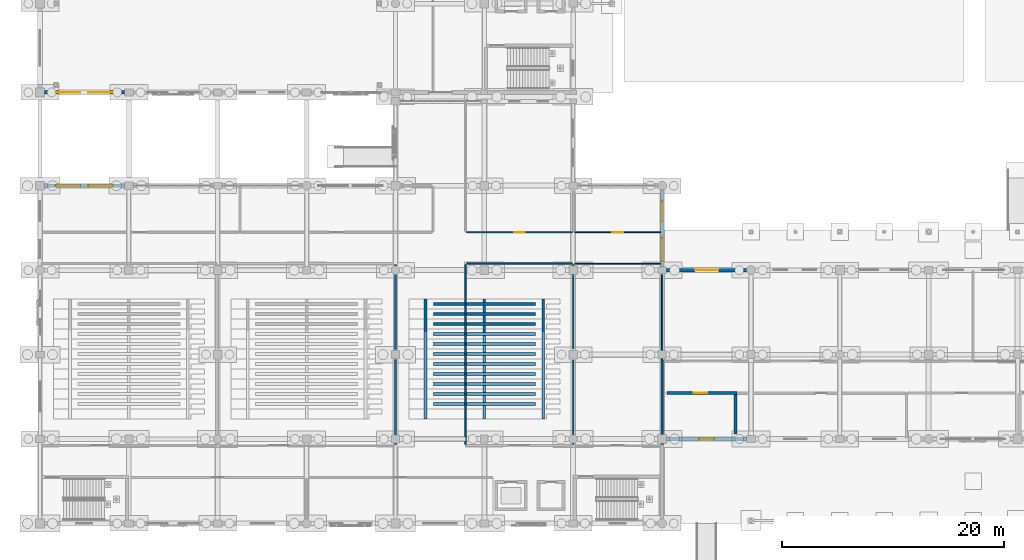
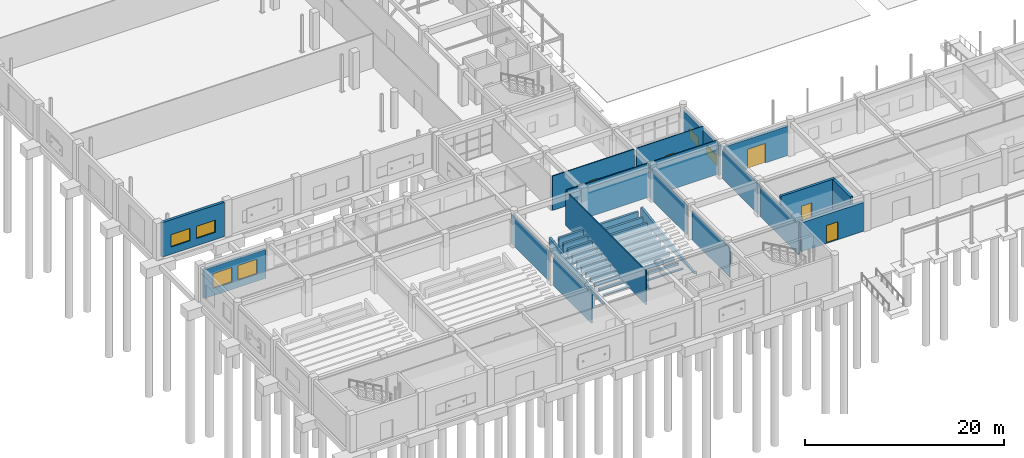
# One storey, part 129 of 166: 32 walls, 6 windows, 5 doors, 11 openings.
"""IFC4 building model written with IfcOpenShell, lengths in metres."""

from ifc_helpers import new_model, si_unit, direction, frame, frame_2d, origin, place, context, subcontext, project, spatial, polyline, rectangle, outline, extrude, material, layer, layer_set, type_object, element, fill, save


model = new_model("IFC4")

# Units and contexts
model_context = context("Model", 3, precision=1e-05, world=origin(), true_north=direction((0.0, 1.0)))
body_context = subcontext(model_context, "Body", "Model", "MODEL_VIEW")
ifc_project = project(units=[si_unit("LENGTHUNIT", "METRE"), si_unit("AREAUNIT", "SQUARE_METRE"), si_unit("VOLUMEUNIT", "CUBIC_METRE"), si_unit("PLANEANGLEUNIT", "RADIAN"), si_unit("MASSUNIT", "GRAM", prefix="KILO")], contexts=[model_context])

# Site, building, storey
site_placement = place(None, origin())
site = spatial("IfcSite", under=ifc_project, at=site_placement, CompositionType="ELEMENT")
building_placement = place(site_placement, origin())
building = spatial("IfcBuilding", under=site, at=building_placement, Name="Kharva Crest Polytechnic", CompositionType="ELEMENT")
storey_placement = place(building_placement, origin())
storey = spatial("IfcBuildingStorey", under=building, at=storey_placement, Name="L00", CompositionType="ELEMENT", Elevation=0.0)

# Wall, opening, door
ifc_material_1 = material(Name="Concrete C40/50", Category="concrete")
ifc_layer_1 = layer(ifc_material_1, 0.300048828125, Name="Concrete C40/50")
ifc_layer_set_1 = layer_set([ifc_layer_1], Name="Concrete C40/50")
wall_type_1 = type_object("IfcWallType", Name="WL-CORE-CW2-300", PredefinedType="SHEAR", material=ifc_layer_set_1)
wall_1_placement = place(storey_placement, frame((56.449951171875, 11.75, 0.0), z_axis=(0.0, 0.0, 1.0), x_axis=(1.0, 0.0, 0.0)))
wall_1 = element("IfcWall", 1, at=wall_1_placement, inside=storey, type_object=wall_type_1, Name="L00 Fire Command Centre North 2-Hr Wall", PredefinedType="SHEAR", context=body_context, shape_type="SweptSolid", body=[
    extrude(rectangle(XDim=6.300048828125, YDim=0.300048828125, at=frame_2d((3.14990234375, 0.0))), origin(), (0.0, 0.0, 1.0), 4.219970703125),
])
opening_1_placement = place(wall_1_placement, frame((2.39990234375, 0.0, 0.0)))
opening_1 = element("IfcOpeningElement", 2, at=opening_1_placement, cuts=wall_1, Name="Opening FD1", PredefinedType="OPENING", context=body_context, shape_type="SweptSolid", body=[
    extrude(rectangle(XDim=1.199951171875, YDim=2.199951171875, at=frame_2d((0.60009765625, 1.10009765625))), frame((0.0, 0.159912109375, 0.0), z_axis=(0.0, -1.0, 0.0), x_axis=(1.0, 0.0, 0.0)), (0.0, 0.0, 1.0), 0.320068359375),
])
ifc_material_2 = material(Name="Teak timber", Category="wood")
door_type_1 = type_object("IfcDoorType", Name="DR-STAIR-1200X2200", OperationType="NOTDEFINED", PredefinedType="DOOR", material=ifc_material_2)
door_1_placement = place(opening_1_placement, origin())
door_1 = element("IfcDoor", 3, at=door_1_placement, inside=storey, type_object=door_type_1, Name="L00 Fire Command Centre Corridor Door", OperationType="SINGLE_SWING_LEFT", OverallHeight=2.199951171875, OverallWidth=1.199951171875, PredefinedType="DOOR", context=body_context, shape_type="SweptSolid", body=[
    extrude(rectangle(XDim=1.199951171875, YDim=2.199951171875, at=frame_2d((0.60009765625, 1.10009765625))), frame((0.0, 0.02490234375, 0.0), z_axis=(0.0, -1.0, 0.0), x_axis=(1.0, 0.0, 0.0)), (0.0, 0.0, 1.0), 0.050048828125),
])
fill(opening_1, door_1)

# Wall
wall_2_placement = place(storey_placement, frame((62.60009765625, 8.050048828125, 0.0), z_axis=(0.0, 0.0, 1.0), x_axis=(0.0, 1.0, 0.0)))
element("IfcWall", 4, at=wall_2_placement, inside=storey, type_object=wall_type_1, Name="L00 Fire Command Centre East 2-Hr Wall", PredefinedType="SHEAR", context=body_context, shape_type="SweptSolid", body=[
    extrude(rectangle(XDim=3.550048828125, YDim=0.300048828125, at=frame_2d((1.77490234375, 0.0))), origin(), (0.0, 0.0, 1.0), 4.219970703125),
])

# Wall, openings, windows
ifc_material_3 = material(Name="Kiln brick masonry", Category="masonry")
ifc_layer_2 = layer(ifc_material_3, 0.27490234375, Name="Kiln brick masonry")
ifc_layer_set_2 = layer_set([ifc_layer_2], Name="Kiln brick masonry")
wall_type_2 = type_object("IfcWallType", Name="WL-EXT-BRK-275", PredefinedType="SOLIDWALL", material=ifc_layer_set_2)
wall_3_placement = place(storey_placement, frame((56.0, 23.094970703125, 0.0), z_axis=(0.0, 0.0, 1.0), x_axis=(0.0, 1.0, 0.0)))
wall_3 = element("IfcWall", 5, at=wall_3_placement, inside=storey, type_object=wall_type_2, Name="L00 Exterior Brick Wall 36", PredefinedType="SOLIDWALL", context=body_context, shape_type="SweptSolid", body=[
    extrude(rectangle(XDim=6.968994140625, YDim=0.27490234375, at=frame_2d((3.484375, 0.0))), origin(), (0.0, 0.0, 1.0), 3.699951171875),
])
opening_2_placement = place(wall_3_placement, frame((0.508056640625, 0.0, 0.89990234375)))
opening_2 = element("IfcOpeningElement", 6, at=opening_2_placement, cuts=wall_3, Name="Opening W18", PredefinedType="OPENING", context=body_context, shape_type="SweptSolid", body=[
    extrude(rectangle(XDim=2.10009765625, YDim=1.25, at=frame_2d((1.050048828125, 0.625))), frame((0.0, 0.1474609375, 0.0), z_axis=(0.0, -1.0, 0.0), x_axis=(1.0, 0.0, 0.0)), (0.0, 0.0, 1.0), 0.294921875),
])
opening_3_placement = place(wall_3_placement, frame((4.14208984375, 0.0, 0.89990234375)))
opening_3 = element("IfcOpeningElement", 7, at=opening_3_placement, cuts=wall_3, Name="Opening W19", PredefinedType="OPENING", context=body_context, shape_type="SweptSolid", body=[
    extrude(rectangle(XDim=1.800048828125, YDim=1.25, at=frame_2d((0.89990234375, 0.625))), frame((0.0, 0.1474609375, 0.0), z_axis=(0.0, -1.0, 0.0), x_axis=(1.0, 0.0, 0.0)), (0.0, 0.0, 1.0), 0.294921875),
])
ifc_material_4 = material(Name="Anodised aluminium", Category="aluminium")
window_type_1 = type_object("IfcWindowType", Name="WIN-ALU-1800X1250", PartitioningType="SINGLE_PANEL", PredefinedType="WINDOW", material=ifc_material_4)
window_1_placement = place(opening_3_placement, origin())
window_1 = element("IfcWindow", 8, at=window_1_placement, inside=storey, type_object=window_type_1, Name="L00 Exterior Window 42", OverallHeight=1.25, OverallWidth=1.800048828125, PartitioningType="SINGLE_PANEL", PredefinedType="WINDOW", context=body_context, shape_type="SweptSolid", body=[
    extrude(rectangle(XDim=1.800048828125, YDim=1.25, at=frame_2d((0.89990234375, 0.625))), frame((0.0, 0.030029296875, 0.0), z_axis=(0.0, -1.0, 0.0), x_axis=(1.0, 0.0, 0.0)), (0.0, 0.0, 1.0), 0.06005859375),
])
fill(opening_3, window_1)
window_type_2 = type_object("IfcWindowType", Name="WIN-ALU-2100X1250", PartitioningType="SINGLE_PANEL", PredefinedType="WINDOW", material=ifc_material_4)
window_2_placement = place(opening_2_placement, origin())
window_2 = element("IfcWindow", 9, at=window_2_placement, inside=storey, type_object=window_type_2, Name="L00 Exterior Window 41", OverallHeight=1.25, OverallWidth=2.10009765625, PartitioningType="SINGLE_PANEL", PredefinedType="WINDOW", context=body_context, shape_type="SweptSolid", body=[
    extrude(rectangle(XDim=2.10009765625, YDim=1.25, at=frame_2d((1.050048828125, 0.625))), frame((0.0, 0.030029296875, 0.0), z_axis=(0.0, -1.0, 0.0), x_axis=(1.0, 0.0, 0.0)), (0.0, 0.0, 1.0), 0.06005859375),
])
fill(opening_2, window_2)

wall_4_placement = place(storey_placement, frame((7.60498046875, 30.39990234375, 0.0), z_axis=(0.0, 0.0, 1.0), x_axis=(-1.0, 0.0, 0.0)))
wall_4 = element("IfcWall", 10, at=wall_4_placement, inside=storey, type_object=wall_type_2, Name="L00 Exterior Brick Wall 41", PredefinedType="SOLIDWALL", context=body_context, shape_type="SweptSolid", body=[
    extrude(rectangle(XDim=7.2099609375, YDim=0.27490234375, at=frame_2d((3.60498046875, 0.0))), origin(), (0.0, 0.0, 1.0), 3.5400390625),
])
opening_4_placement = place(wall_4_placement, frame((1.04296875, 0.0, 0.89990234375)))
opening_4 = element("IfcOpeningElement", 11, at=opening_4_placement, cuts=wall_4, Name="Opening W03", PredefinedType="OPENING", context=body_context, shape_type="SweptSolid", body=[
    extrude(rectangle(XDim=2.199951171875, YDim=1.800048828125, at=frame_2d((1.10009765625, 0.89990234375))), frame((0.0, 0.1474609375, 0.0), z_axis=(0.0, -1.0, 0.0), x_axis=(1.0, 0.0, 0.0)), (0.0, 0.0, 1.0), 0.294921875),
])
opening_5_placement = place(wall_4_placement, frame((3.967041015625, 0.0, 0.89990234375)))
opening_5 = element("IfcOpeningElement", 12, at=opening_5_placement, cuts=wall_4, Name="Opening W03", PredefinedType="OPENING", context=body_context, shape_type="SweptSolid", body=[
    extrude(rectangle(XDim=2.199951171875, YDim=1.800048828125, at=frame_2d((1.10009765625, 0.89990234375))), frame((0.0, 0.1474609375, 0.0), z_axis=(0.0, -1.0, 0.0), x_axis=(1.0, 0.0, 0.0)), (0.0, 0.0, 1.0), 0.294921875),
])
window_type_3 = type_object("IfcWindowType", Name="WIN-ALU-2200X1800", PartitioningType="SINGLE_PANEL", PredefinedType="WINDOW", material=ifc_material_4)
window_3_placement = place(opening_4_placement, origin())
window_3 = element("IfcWindow", 13, at=window_3_placement, inside=storey, type_object=window_type_3, Name="L00 Exterior Window 50", OverallHeight=1.800048828125, OverallWidth=2.199951171875, PartitioningType="SINGLE_PANEL", PredefinedType="WINDOW", context=body_context, shape_type="SweptSolid", body=[
    extrude(rectangle(XDim=2.199951171875, YDim=1.800048828125, at=frame_2d((1.10009765625, 0.89990234375))), frame((0.0, 0.030029296875, 0.0), z_axis=(0.0, -1.0, 0.0), x_axis=(1.0, 0.0, 0.0)), (0.0, 0.0, 1.0), 0.06005859375),
])
fill(opening_4, window_3)
window_4_placement = place(opening_5_placement, origin())
window_4 = element("IfcWindow", 14, at=window_4_placement, inside=storey, type_object=window_type_3, Name="L00 Exterior Window 51", OverallHeight=1.800048828125, OverallWidth=2.199951171875, PartitioningType="SINGLE_PANEL", PredefinedType="WINDOW", context=body_context, shape_type="SweptSolid", body=[
    extrude(rectangle(XDim=2.199951171875, YDim=1.800048828125, at=frame_2d((1.10009765625, 0.89990234375))), frame((0.0, 0.030029296875, 0.0), z_axis=(0.0, -1.0, 0.0), x_axis=(1.0, 0.0, 0.0)), (0.0, 0.0, 1.0), 0.06005859375),
])
fill(opening_5, window_4)

# Wall, opening, door
ifc_layer_3 = layer(ifc_material_3, 0.2900390625, Name="Kiln brick masonry")
ifc_layer_set_3 = layer_set([ifc_layer_3], Name="Kiln brick masonry")
wall_type_3 = type_object("IfcWallType", Name="WL-EXT-BRK-290", PredefinedType="SOLIDWALL", material=ifc_layer_set_3)
wall_5_placement = place(storey_placement, frame((63.6640625, 22.800048828125, 0.0), z_axis=(0.0, 0.0, 1.0), x_axis=(-1.0, 0.0, 0.0)))
wall_5 = element("IfcWall", 15, at=wall_5_placement, inside=storey, type_object=wall_type_3, Name="L00 Exterior Brick Wall 35", PredefinedType="SOLIDWALL", context=body_context, shape_type="SweptSolid", body=[
    extrude(rectangle(XDim=7.279052734375, YDim=0.2900390625, at=frame_2d((3.6396484375, 0.0))), origin(), (0.0, 0.0, 1.0), 3.6201171875),
])
opening_6_placement = place(wall_5_placement, frame((2.590087890625, 0.0, 0.0)))
opening_6 = element("IfcOpeningElement", 16, at=opening_6_placement, cuts=wall_5, Name="Opening ED1", PredefinedType="OPENING", context=body_context, shape_type="SweptSolid", body=[
    extrude(rectangle(XDim=2.10009765625, YDim=2.39990234375, at=frame_2d((1.050048828125, 1.199951171875))), frame((0.0, 0.155029296875, 0.0), z_axis=(0.0, -1.0, 0.0), x_axis=(1.0, 0.0, 0.0)), (0.0, 0.0, 1.0), 0.31005859375),
])
door_type_2 = type_object("IfcDoorType", Name="DR-EXT-DBL-2100X2400", OperationType="NOTDEFINED", PredefinedType="DOOR", material=ifc_material_4)
door_2_placement = place(opening_6_placement, frame((2.10009765625, 0.0, 0.0), z_axis=(0.0, 0.0, 1.0), x_axis=(-1.0, 0.0, 0.0)))
door_2 = element("IfcDoor", 17, at=door_2_placement, inside=storey, type_object=door_type_2, Name="L00 Campus Entrance Door 12", OperationType="DOUBLE_DOOR_SINGLE_SWING", OverallHeight=2.39990234375, OverallWidth=2.10009765625, PredefinedType="DOOR", context=body_context, shape_type="SweptSolid", body=[
    extrude(rectangle(XDim=2.10009765625, YDim=2.39990234375, at=frame_2d((1.050048828125, 1.199951171875))), frame((0.0, 0.02490234375, 0.0), z_axis=(0.0, -1.0, 0.0), x_axis=(1.0, 0.0, 0.0)), (0.0, 0.0, 1.0), 0.050048828125),
])
fill(opening_6, door_2)

# Wall, openings, windows
ifc_layer_4 = layer(ifc_material_3, 0.304931640625, Name="Kiln brick masonry")
ifc_layer_set_4 = layer_set([ifc_layer_4], Name="Kiln brick masonry")
wall_type_4 = type_object("IfcWallType", Name="WL-EXT-BRK-305", PredefinedType="SOLIDWALL", material=ifc_layer_set_4)
wall_6_placement = place(storey_placement, frame((0.39501953125, 38.800048828125, 0.0), z_axis=(0.0, 0.0, 1.0), x_axis=(1.0, 0.0, 0.0)))
wall_6 = element("IfcWall", 18, at=wall_6_placement, inside=storey, type_object=wall_type_4, Name="L00 Exterior Brick Wall 66", PredefinedType="SOLIDWALL", context=body_context, shape_type="SweptSolid", body=[
    extrude(rectangle(XDim=7.2099609375, YDim=0.304931640625, at=frame_2d((3.60498046875, 0.0))), origin(), (0.0, 0.0, 1.0), 4.219970703125),
])
opening_7_placement = place(wall_6_placement, frame((1.04296875, 0.0, 0.89990234375)))
opening_7 = element("IfcOpeningElement", 19, at=opening_7_placement, cuts=wall_6, Name="Opening W11", PredefinedType="OPENING", context=body_context, shape_type="SweptSolid", body=[
    extrude(rectangle(XDim=2.199951171875, YDim=1.5, at=frame_2d((1.10009765625, 0.75))), frame((0.0, 0.162353515625, 0.0), z_axis=(0.0, -1.0, 0.0), x_axis=(1.0, 0.0, 0.0)), (0.0, 0.0, 1.0), 0.324951171875),
])
opening_8_placement = place(wall_6_placement, frame((3.967041015625, 0.0, 0.89990234375)))
opening_8 = element("IfcOpeningElement", 20, at=opening_8_placement, cuts=wall_6, Name="Opening W11", PredefinedType="OPENING", context=body_context, shape_type="SweptSolid", body=[
    extrude(rectangle(XDim=2.199951171875, YDim=1.5, at=frame_2d((1.10009765625, 0.75))), frame((0.0, 0.162353515625, 0.0), z_axis=(0.0, -1.0, 0.0), x_axis=(1.0, 0.0, 0.0)), (0.0, 0.0, 1.0), 0.324951171875),
])
window_type_4 = type_object("IfcWindowType", Name="WIN-ALU-2200X1500", PartitioningType="SINGLE_PANEL", PredefinedType="WINDOW", material=ifc_material_4)
window_5_placement = place(opening_7_placement, origin())
window_5 = element("IfcWindow", 21, at=window_5_placement, inside=storey, type_object=window_type_4, Name="L00 Exterior Window 82", OverallHeight=1.5, OverallWidth=2.199951171875, PartitioningType="SINGLE_PANEL", PredefinedType="WINDOW", context=body_context, shape_type="SweptSolid", body=[
    extrude(rectangle(XDim=2.199951171875, YDim=1.5, at=frame_2d((1.10009765625, 0.75))), frame((0.0, 0.030029296875, 0.0), z_axis=(0.0, -1.0, 0.0), x_axis=(1.0, 0.0, 0.0)), (0.0, 0.0, 1.0), 0.06005859375),
])
fill(opening_7, window_5)
window_6_placement = place(opening_8_placement, origin())
window_6 = element("IfcWindow", 22, at=window_6_placement, inside=storey, type_object=window_type_4, Name="L00 Exterior Window 83", OverallHeight=1.5, OverallWidth=2.199951171875, PartitioningType="SINGLE_PANEL", PredefinedType="WINDOW", context=body_context, shape_type="SweptSolid", body=[
    extrude(rectangle(XDim=2.199951171875, YDim=1.5, at=frame_2d((1.10009765625, 0.75))), frame((0.0, 0.030029296875, 0.0), z_axis=(0.0, -1.0, 0.0), x_axis=(1.0, 0.0, 0.0)), (0.0, 0.0, 1.0), 0.06005859375),
])
fill(opening_8, window_6)

# Wall, opening, door
ifc_layer_5 = layer(ifc_material_3, 0.3798828125, Name="Kiln brick masonry")
ifc_layer_set_5 = layer_set([ifc_layer_5], Name="Kiln brick masonry")
wall_type_5 = type_object("IfcWallType", Name="WL-EXT-BRK-380", PredefinedType="SOLIDWALL", material=ifc_layer_set_5)
wall_7_placement = place(storey_placement, frame((56.39501953125, 7.60009765625, 0.0), z_axis=(0.0, 0.0, 1.0), x_axis=(1.0, 0.0, 0.0)))
wall_7 = element("IfcWall", 23, at=wall_7_placement, inside=storey, type_object=wall_type_5, Name="L00 Exterior Brick Wall 20", PredefinedType="SOLIDWALL", context=body_context, shape_type="SweptSolid", body=[
    extrude(rectangle(XDim=7.2099609375, YDim=0.3798828125, at=frame_2d((3.60498046875, 0.0))), origin(), (0.0, 0.0, 1.0), 3.5400390625),
])
opening_9_placement = place(wall_7_placement, frame((2.929931640625, 0.0, 0.0)))
opening_9 = element("IfcOpeningElement", 24, at=opening_9_placement, cuts=wall_7, Name="Opening ED6", PredefinedType="OPENING", context=body_context, shape_type="SweptSolid", body=[
    extrude(rectangle(XDim=1.35009765625, YDim=2.199951171875, at=frame_2d((0.675048828125, 1.10009765625))), frame((0.0, 0.199951171875, 0.0), z_axis=(0.0, -1.0, 0.0), x_axis=(1.0, 0.0, 0.0)), (0.0, 0.0, 1.0), 0.39990234375),
])
door_type_3 = type_object("IfcDoorType", Name="DR-EXT-ESC-1350X2200", OperationType="NOTDEFINED", PredefinedType="DOOR", material=ifc_material_4)
door_3_placement = place(opening_9_placement, frame((1.35009765625, 0.0, 0.0), z_axis=(0.0, 0.0, 1.0), x_axis=(-1.0, 0.0, 0.0)))
door_3 = element("IfcDoor", 25, at=door_3_placement, inside=storey, type_object=door_type_3, Name="L00 Fire Command Centre Exterior Door", OperationType="SINGLE_SWING_RIGHT", OverallHeight=2.199951171875, OverallWidth=1.35009765625, PredefinedType="DOOR", context=body_context, shape_type="SweptSolid", body=[
    extrude(rectangle(XDim=1.35009765625, YDim=2.199951171875, at=frame_2d((0.675048828125, 1.10009765625))), frame((0.0, 0.02490234375, 0.0), z_axis=(0.0, -1.0, 0.0), x_axis=(1.0, 0.0, 0.0)), (0.0, 0.0, 1.0), 0.050048828125),
])
fill(opening_9, door_3)

# Wall
ifc_layer_6 = layer(ifc_material_3, 0.090087890625, Name="Kiln brick masonry")
ifc_layer_set_6 = layer_set([ifc_layer_6], Name="Kiln brick masonry")
wall_type_6 = type_object("IfcWallType", Name="WL-PART-090", PredefinedType="PARTITIONING", material=ifc_layer_set_6)
wall_8_placement = place(storey_placement, frame((48.1201171875, 23.389892578125, 0.0), z_axis=(0.0, 0.0, 1.0), x_axis=(1.0, 0.0, 0.0)))
element("IfcWall", 26, at=wall_8_placement, inside=storey, type_object=wall_type_6, Name="L00 Interior Partition 59", PredefinedType="PARTITIONING", context=body_context, shape_type="SweptSolid", body=[
    extrude(rectangle(XDim=7.769775390625, YDim=0.090087890625, at=frame_2d((3.884765625, 0.0))), origin(), (0.0, 0.0, 1.0), 4.199951171875),
])

# Wall, opening, door
wall_9_placement = place(storey_placement, frame((48.1201171875, 26.2099609375, 0.0), z_axis=(0.0, 0.0, 1.0), x_axis=(1.0, 0.0, 0.0)))
wall_9 = element("IfcWall", 27, at=wall_9_placement, inside=storey, type_object=wall_type_6, Name="L00 Interior Partition 69", PredefinedType="PARTITIONING", context=body_context, shape_type="SweptSolid", body=[
    extrude(rectangle(XDim=7.769775390625, YDim=0.090087890625, at=frame_2d((3.884765625, 0.0))), origin(), (0.0, 0.0, 1.0), 4.199951171875),
])
opening_10_placement = place(wall_9_placement, frame((3.409912109375, 0.0, 0.0)))
opening_10 = element("IfcOpeningElement", 28, at=opening_10_placement, cuts=wall_9, Name="Opening ID14", PredefinedType="OPENING", context=body_context, shape_type="SweptSolid", body=[
    extrude(rectangle(XDim=0.949951171875, YDim=2.10009765625, at=frame_2d((0.47509765625, 1.050048828125))), frame((0.0, 0.054931640625, 0.0), z_axis=(0.0, -1.0, 0.0), x_axis=(1.0, 0.0, 0.0)), (0.0, 0.0, 1.0), 0.110107421875),
])
door_type_4 = type_object("IfcDoorType", Name="DR-WC-950X2100", OperationType="NOTDEFINED", PredefinedType="DOOR", material=ifc_material_2)
door_4_placement = place(opening_10_placement, origin())
door_4 = element("IfcDoor", 29, at=door_4_placement, inside=storey, type_object=door_type_4, Name="L00 Lecture Concourse Accessible WC Door", OperationType="SINGLE_SWING_RIGHT", OverallHeight=2.10009765625, OverallWidth=0.949951171875, PredefinedType="DOOR", context=body_context, shape_type="SweptSolid", body=[
    extrude(rectangle(XDim=0.949951171875, YDim=2.10009765625, at=frame_2d((0.47509765625, 1.050048828125))), frame((0.0, 0.02490234375, 0.0), z_axis=(0.0, -1.0, 0.0), x_axis=(1.0, 0.0, 0.0)), (0.0, 0.0, 1.0), 0.050048828125),
])
fill(opening_10, door_4)

# Walls
ifc_layer_7 = layer(ifc_material_3, 0.110107421875, Name="Kiln brick masonry")
ifc_layer_set_7 = layer_set([ifc_layer_7], Name="Kiln brick masonry")
wall_type_7 = type_object("IfcWallType", Name="WL-PART-110", PredefinedType="PARTITIONING", material=ifc_layer_set_7)
wall_10_placement = place(storey_placement, frame((48.0, 15.7099609375, 0.0), z_axis=(0.0, 0.0, 1.0), x_axis=(0.0, 1.0, 0.0)))
element("IfcWall", 30, at=wall_10_placement, inside=storey, type_object=wall_type_7, Name="L00 Interior Partition 57", PredefinedType="PARTITIONING", context=body_context, shape_type="SweptSolid", body=[
    extrude(rectangle(XDim=7.570068359375, YDim=0.110107421875, at=frame_2d((3.78515625, 0.0))), origin(), (0.0, 0.0, 1.0), 3.639892578125),
])
ifc_layer_8 = layer(ifc_material_3, 0.1201171875, Name="Kiln brick masonry")
ifc_layer_set_8 = layer_set([ifc_layer_8], Name="Kiln brick masonry")
wall_type_8 = type_object("IfcWallType", Name="WL-PART-120", PredefinedType="PARTITIONING", material=ifc_layer_set_8)
wall_11_placement = place(storey_placement, frame((48.0, 7.1201171875, 0.0), z_axis=(0.0, 0.0, 1.0), x_axis=(0.0, 1.0, 0.0)))
element("IfcWall", 31, at=wall_11_placement, inside=storey, type_object=wall_type_8, Name="L00 Interior Partition 56", PredefinedType="PARTITIONING", context=body_context, shape_type="SweptSolid", body=[
    extrude(rectangle(XDim=7.56982421875, YDim=0.1201171875, at=frame_2d((3.784912109375, 0.0))), origin(), (0.0, 0.0, 1.0), 3.60009765625),
])

# Wall, opening, door
wall_12_placement = place(storey_placement, frame((38.419921875, 26.2099609375, 0.0), z_axis=(0.0, 0.0, 1.0), x_axis=(1.0, 0.0, 0.0)))
wall_12 = element("IfcWall", 32, at=wall_12_placement, inside=storey, type_object=wall_type_8, Name="L00 Interior Partition 66", PredefinedType="PARTITIONING", context=body_context, shape_type="SweptSolid", body=[
    extrude(rectangle(XDim=9.469970703125, YDim=0.1201171875, at=frame_2d((4.73486328125, 0.0))), origin(), (0.0, 0.0, 1.0), 4.199951171875),
])
opening_11_placement = place(wall_12_placement, frame((4.27490234375, 0.0, 0.0)))
opening_11 = element("IfcOpeningElement", 33, at=opening_11_placement, cuts=wall_12, Name="Opening ID16", PredefinedType="OPENING", context=body_context, shape_type="SweptSolid", body=[
    extrude(rectangle(XDim=0.919921875, YDim=2.10009765625, at=frame_2d((0.4599609375, 1.050048828125))), frame((0.0, 0.070068359375, 0.0), z_axis=(0.0, -1.0, 0.0), x_axis=(1.0, 0.0, 0.0)), (0.0, 0.0, 1.0), 0.14013671875),
])
door_type_5 = type_object("IfcDoorType", Name="DR-STR-920X2100", OperationType="NOTDEFINED", PredefinedType="DOOR", material=ifc_material_2)
door_5_placement = place(opening_11_placement, origin())
door_5 = element("IfcDoor", 34, at=door_5_placement, inside=storey, type_object=door_type_5, Name="L00 Student Coat and Equipment Store Door", OperationType="SINGLE_SWING_LEFT", OverallHeight=2.10009765625, OverallWidth=0.919921875, PredefinedType="DOOR", context=body_context, shape_type="SweptSolid", body=[
    extrude(rectangle(XDim=0.919921875, YDim=2.10009765625, at=frame_2d((0.4599609375, 1.050048828125))), frame((0.0, 0.02490234375, 0.0), z_axis=(0.0, -1.0, 0.0), x_axis=(1.0, 0.0, 0.0)), (0.0, 0.0, 1.0), 0.050048828125),
])
fill(opening_11, door_5)

# Walls
ifc_layer_9 = layer(ifc_material_3, 0.1298828125, Name="Kiln brick masonry")
ifc_layer_set_9 = layer_set([ifc_layer_9], Name="Kiln brick masonry")
wall_type_9 = type_object("IfcWallType", Name="WL-PART-130", PredefinedType="PARTITIONING", material=ifc_layer_set_9)
wall_13_placement = place(storey_placement, frame((38.31005859375, 7.1201171875, 0.0), z_axis=(0.0, 0.0, 1.0), x_axis=(0.0, 1.0, 0.0)))
element("IfcWall", 35, at=wall_13_placement, inside=storey, type_object=wall_type_9, Name="L00 Interior Partition 55", PredefinedType="PARTITIONING", context=body_context, shape_type="SweptSolid", body=[
    extrude(rectangle(XDim=16.159912109375, YDim=0.1298828125, at=frame_2d((8.080078125, 0.0))), origin(), (0.0, 0.0, 1.0), 4.199951171875),
])
wall_14_placement = place(storey_placement, frame((56.010009765625, 14.719970703125, 0.0), z_axis=(0.0, 0.0, 1.0), x_axis=(0.0, 1.0, 0.0)))
element("IfcWall", 36, at=wall_14_placement, inside=storey, type_object=wall_type_9, Name="L00 Interior Partition 75", PredefinedType="PARTITIONING", context=body_context, shape_type="SweptSolid", body=[
    extrude(rectangle(XDim=7.650146484375, YDim=0.1298828125, at=frame_2d((3.8251953125, 0.0))), origin(), (0.0, 0.0, 1.0), 3.639892578125),
])
ifc_layer_10 = layer(ifc_material_3, 0.139892578125, Name="Kiln brick masonry")
ifc_layer_set_10 = layer_set([ifc_layer_10], Name="Kiln brick masonry")
wall_type_10 = type_object("IfcWallType", Name="WL-PART-140", PredefinedType="PARTITIONING", material=ifc_layer_set_10)
wall_15_placement = place(storey_placement, frame((38.419921875, 23.389892578125, 0.0), z_axis=(0.0, 0.0, 1.0), x_axis=(1.0, 0.0, 0.0)))
element("IfcWall", 37, at=wall_15_placement, inside=storey, type_object=wall_type_10, Name="L00 Interior Partition 54", PredefinedType="PARTITIONING", context=body_context, shape_type="SweptSolid", body=[
    extrude(rectangle(XDim=9.469970703125, YDim=0.139892578125, at=frame_2d((4.73486328125, 0.0))), origin(), (0.0, 0.0, 1.0), 4.199951171875),
])
ifc_layer_11 = layer(ifc_material_3, 0.159912109375, Name="Kiln brick masonry")
ifc_layer_set_11 = layer_set([ifc_layer_11], Name="Kiln brick masonry")
wall_type_11 = type_object("IfcWallType", Name="WL-PART-160", PredefinedType="PARTITIONING", material=ifc_layer_set_11)
wall_16_placement = place(storey_placement, frame((32.0, 15.679931640625, 0.0), z_axis=(0.0, 0.0, 1.0), x_axis=(0.0, 1.0, 0.0)))
element("IfcWall", 38, at=wall_16_placement, inside=storey, type_object=wall_type_11, Name="L00 Interior Partition 52", PredefinedType="PARTITIONING", context=body_context, shape_type="SweptSolid", body=[
    extrude(rectangle(XDim=7.60009765625, YDim=0.159912109375, at=frame_2d((3.800048828125, 0.0))), origin(), (0.0, 0.0, 1.0), 3.60009765625),
])
ifc_layer_12 = layer(ifc_material_3, 0.169921875, Name="Kiln brick masonry")
ifc_layer_set_12 = layer_set([ifc_layer_12], Name="Kiln brick masonry")
wall_type_12 = type_object("IfcWallType", Name="WL-PART-170", PredefinedType="PARTITIONING", material=ifc_layer_set_12)
wall_17_placement = place(storey_placement, frame((32.0, 7.1201171875, 0.0), z_axis=(0.0, 0.0, 1.0), x_axis=(0.0, 1.0, 0.0)))
element("IfcWall", 39, at=wall_17_placement, inside=storey, type_object=wall_type_12, Name="L00 Interior Partition 51", PredefinedType="PARTITIONING", context=body_context, shape_type="SweptSolid", body=[
    extrude(rectangle(XDim=7.599853515625, YDim=0.169921875, at=frame_2d((3.7998046875, 0.0))), origin(), (0.0, 0.0, 1.0), 3.5400390625),
])
ifc_layer_13 = layer(ifc_material_3, 0.179931640625, Name="Kiln brick masonry")
ifc_layer_set_13 = layer_set([ifc_layer_13], Name="Kiln brick masonry")
wall_type_13 = type_object("IfcWallType", Name="WL-PART-180", PredefinedType="PARTITIONING", material=ifc_layer_set_13)
wall_18_placement = place(storey_placement, frame((56.0, 7.1201171875, 0.0), z_axis=(0.0, 0.0, 1.0), x_axis=(0.0, 1.0, 0.0)))
element("IfcWall", 40, at=wall_18_placement, inside=storey, type_object=wall_type_13, Name="L00 Interior Partition 60", PredefinedType="PARTITIONING", context=body_context, shape_type="SweptSolid", body=[
    extrude(rectangle(XDim=7.579833984375, YDim=0.179931640625, at=frame_2d((3.7900390625, 0.0))), origin(), (0.0, 0.0, 1.0), 3.60009765625),
])
ifc_material_5 = material(Name="Concrete C35/45", Category="concrete")
ifc_layer_14 = layer(ifc_material_5, 0.239990234375, Name="Concrete C35/45")
ifc_layer_set_14 = layer_set([ifc_layer_14], Name="Concrete C35/45")
wall_type_14 = type_object("IfcWallType", Name="WL-TIER-CHEEK-240", PredefinedType="SOLIDWALL", material=ifc_layer_set_14)
for number, where, z_axis, x_axis, name in (
    (41, (34.699951171875, 9.39990234375, 0.0), (0.0, 0.0, 1.0), (0.0, 1.0, 0.0), "L00 Lecture Theatre 3 Tier Support Wall 1"),
    (42, (40.0, 9.39990234375, 0.0), (0.0, 0.0, 1.0), (0.0, 1.0, 0.0), "L00 Lecture Theatre 3 Tier Support Wall 2"),
    (43, (45.300048828125, 9.39990234375, 0.0), (0.0, 0.0, 1.0), (0.0, 1.0, 0.0), "L00 Lecture Theatre 3 Tier Support Wall 3"),
):
    element("IfcWall", number, at=place(storey_placement, frame(where, z_axis=z_axis, x_axis=x_axis)), inside=storey, type_object=wall_type_14, Name=name, PredefinedType="SOLIDWALL", context=body_context, shape_type="SweptSolid", body=[
        extrude(outline(polyline([(0.0, 0.0), (10.800048828125, 0.0), (10.800048828125, 1.635009765625), (0.0, 0.050048828125), (0.0, 0.0)])), frame((0.0, 0.1201171875, 0.0), z_axis=(0.0, -1.0, 0.0), x_axis=(1.0, 0.0, 0.0)), (0.0, 0.0, 1.0), 0.239990234375),
    ])
wall_19_placement = place(storey_placement, frame((35.39990234375, 10.75, 0.0), z_axis=(0.0, 0.0, 1.0), x_axis=(1.0, 0.0, 0.0)))
element("IfcWall", 44, at=wall_19_placement, inside=storey, type_object=wall_type_14, Name="L00 Lecture Theatre 3 Tier Sleeper Wall R2", PredefinedType="SOLIDWALL", context=body_context, shape_type="SweptSolid", body=[
    extrude(rectangle(XDim=9.2001953125, YDim=0.239990234375, at=frame_2d((4.60009765625, 0.0))), origin(), (0.0, 0.0, 1.0), 0.135009765625),
])
wall_20_placement = place(storey_placement, frame((35.39990234375, 11.64990234375, 0.0), z_axis=(0.0, 0.0, 1.0), x_axis=(1.0, 0.0, 0.0)))
element("IfcWall", 45, at=wall_20_placement, inside=storey, type_object=wall_type_14, Name="L00 Lecture Theatre 3 Tier Sleeper Wall R3", PredefinedType="SOLIDWALL", context=body_context, shape_type="SweptSolid", body=[
    extrude(rectangle(XDim=9.2001953125, YDim=0.239990234375, at=frame_2d((4.60009765625, 0.0))), origin(), (0.0, 0.0, 1.0), 0.284912109375),
])
wall_21_placement = place(storey_placement, frame((35.39990234375, 12.550048828125, 0.0), z_axis=(0.0, 0.0, 1.0), x_axis=(1.0, 0.0, 0.0)))
element("IfcWall", 46, at=wall_21_placement, inside=storey, type_object=wall_type_14, Name="L00 Lecture Theatre 3 Tier Sleeper Wall R4", PredefinedType="SOLIDWALL", context=body_context, shape_type="SweptSolid", body=[
    extrude(rectangle(XDim=9.2001953125, YDim=0.239990234375, at=frame_2d((4.60009765625, 0.0))), origin(), (0.0, 0.0, 1.0), 0.43505859375),
])
wall_22_placement = place(storey_placement, frame((35.39990234375, 13.449951171875, 0.0), z_axis=(0.0, 0.0, 1.0), x_axis=(1.0, 0.0, 0.0)))
element("IfcWall", 47, at=wall_22_placement, inside=storey, type_object=wall_type_14, Name="L00 Lecture Theatre 3 Tier Sleeper Wall R5", PredefinedType="SOLIDWALL", context=body_context, shape_type="SweptSolid", body=[
    extrude(rectangle(XDim=9.2001953125, YDim=0.239990234375, at=frame_2d((4.60009765625, 0.0))), origin(), (0.0, 0.0, 1.0), 0.5849609375),
])
wall_23_placement = place(storey_placement, frame((35.39990234375, 14.35009765625, 0.0), z_axis=(0.0, 0.0, 1.0), x_axis=(1.0, 0.0, 0.0)))
element("IfcWall", 48, at=wall_23_placement, inside=storey, type_object=wall_type_14, Name="L00 Lecture Theatre 3 Tier Sleeper Wall R6", PredefinedType="SOLIDWALL", context=body_context, shape_type="SweptSolid", body=[
    extrude(rectangle(XDim=9.2001953125, YDim=0.239990234375, at=frame_2d((4.60009765625, 0.0))), origin(), (0.0, 0.0, 1.0), 0.735107421875),
])
wall_24_placement = place(storey_placement, frame((35.39990234375, 15.25, 0.0), z_axis=(0.0, 0.0, 1.0), x_axis=(1.0, 0.0, 0.0)))
element("IfcWall", 49, at=wall_24_placement, inside=storey, type_object=wall_type_14, Name="L00 Lecture Theatre 3 Tier Sleeper Wall R7", PredefinedType="SOLIDWALL", context=body_context, shape_type="SweptSolid", body=[
    extrude(rectangle(XDim=9.2001953125, YDim=0.239990234375, at=frame_2d((4.60009765625, 0.0))), origin(), (0.0, 0.0, 1.0), 0.885009765625),
])
wall_25_placement = place(storey_placement, frame((35.39990234375, 16.14990234375, 0.0), z_axis=(0.0, 0.0, 1.0), x_axis=(1.0, 0.0, 0.0)))
element("IfcWall", 50, at=wall_25_placement, inside=storey, type_object=wall_type_14, Name="L00 Lecture Theatre 3 Tier Sleeper Wall R8", PredefinedType="SOLIDWALL", context=body_context, shape_type="SweptSolid", body=[
    extrude(rectangle(XDim=9.2001953125, YDim=0.239990234375, at=frame_2d((4.60009765625, 0.0))), origin(), (0.0, 0.0, 1.0), 1.034912109375),
])
wall_26_placement = place(storey_placement, frame((35.39990234375, 17.050048828125, 0.0), z_axis=(0.0, 0.0, 1.0), x_axis=(1.0, 0.0, 0.0)))
element("IfcWall", 51, at=wall_26_placement, inside=storey, type_object=wall_type_14, Name="L00 Lecture Theatre 3 Tier Sleeper Wall R9", PredefinedType="SOLIDWALL", context=body_context, shape_type="SweptSolid", body=[
    extrude(rectangle(XDim=9.2001953125, YDim=0.239990234375, at=frame_2d((4.60009765625, 0.0))), origin(), (0.0, 0.0, 1.0), 1.18505859375),
])
wall_27_placement = place(storey_placement, frame((35.39990234375, 17.949951171875, 0.0), z_axis=(0.0, 0.0, 1.0), x_axis=(1.0, 0.0, 0.0)))
element("IfcWall", 52, at=wall_27_placement, inside=storey, type_object=wall_type_14, Name="L00 Lecture Theatre 3 Tier Sleeper Wall R10", PredefinedType="SOLIDWALL", context=body_context, shape_type="SweptSolid", body=[
    extrude(rectangle(XDim=9.2001953125, YDim=0.239990234375, at=frame_2d((4.60009765625, 0.0))), origin(), (0.0, 0.0, 1.0), 1.3349609375),
])
wall_28_placement = place(storey_placement, frame((35.39990234375, 18.85009765625, 0.0), z_axis=(0.0, 0.0, 1.0), x_axis=(1.0, 0.0, 0.0)))
element("IfcWall", 53, at=wall_28_placement, inside=storey, type_object=wall_type_14, Name="L00 Lecture Theatre 3 Tier Sleeper Wall R11", PredefinedType="SOLIDWALL", context=body_context, shape_type="SweptSolid", body=[
    extrude(rectangle(XDim=9.2001953125, YDim=0.239990234375, at=frame_2d((4.60009765625, 0.0))), origin(), (0.0, 0.0, 1.0), 1.485107421875),
])
wall_29_placement = place(storey_placement, frame((35.39990234375, 19.75, 0.0), z_axis=(0.0, 0.0, 1.0), x_axis=(1.0, 0.0, 0.0)))
element("IfcWall", 54, at=wall_29_placement, inside=storey, type_object=wall_type_14, Name="L00 Lecture Theatre 3 Tier Sleeper Wall R12", PredefinedType="SOLIDWALL", context=body_context, shape_type="SweptSolid", body=[
    extrude(rectangle(XDim=9.2001953125, YDim=0.239990234375, at=frame_2d((4.60009765625, 0.0))), origin(), (0.0, 0.0, 1.0), 1.635009765625),
])

save(model, "model.ifc")
